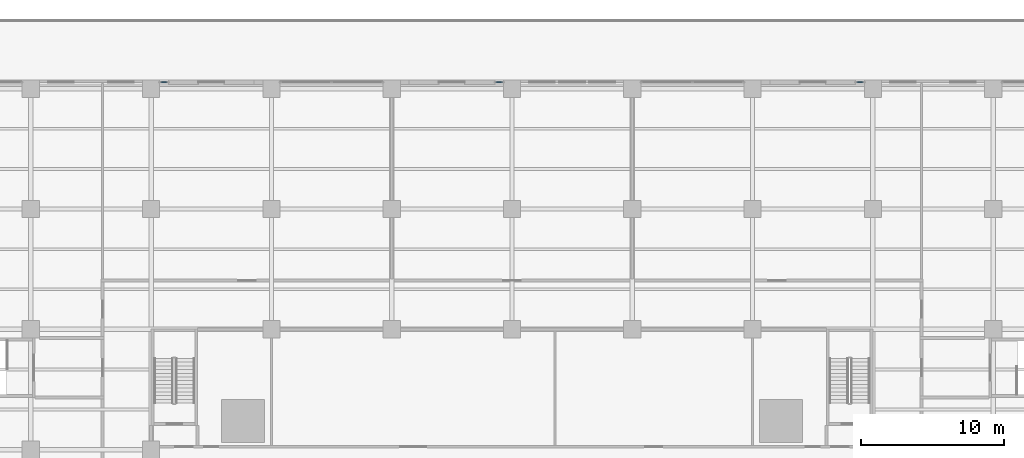
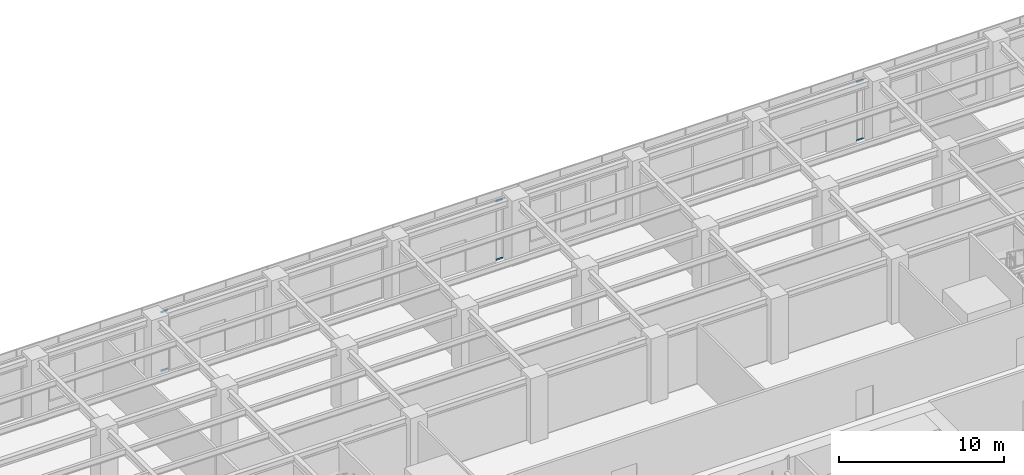
# One storey, part 21 of 53: 6 members, 3 elements without a shape of their own.
"""IFC4 building model written with IfcOpenShell, lengths in metres."""

import ifcopenshell
import ifcopenshell.guid

model = None  # the IFC model being written
_history = None  # IfcOwnerHistory: only IFC2X3 demands one
_inside = {}  # id of a spatial element -> (the spatial element, [elements in it])
_under = {}  # id of a project, library or spatial element -> (it, [spatial elements below it])
_declared = {}  # id of a project -> (the project, [libraries it declares])
_typed = {}  # id of a type object -> (the type object, [elements of that type])
_made_of = {}  # id of a material, layer set ... -> (it, [elements and type objects made of it])


def new_model(schema):
    """Start an empty IFC model of exactly this schema.

    Asked for "IFC4X3", IfcOpenShell would pick the latest addendum, in which some entities
    have other attributes; the version numbers below select the first issue.
    IFC2X3 requires an IfcOwnerHistory on every rooted entity: one is made here for all.
    """
    global model, _history
    if schema == "IFC4X3":
        model = ifcopenshell.file(schema_version=(4, 3, 0, 0))
    else:
        model = ifcopenshell.file(schema=schema)
    _inside.clear()
    _under.clear()
    _declared.clear()
    _typed.clear()
    _made_of.clear()
    _history = None
    if model.schema == "IFC2X3":
        org = make("IfcOrganization", Name="unknown")
        user = make(
            "IfcPersonAndOrganization",
            ThePerson=make("IfcPerson", FamilyName="unknown"),
            TheOrganization=org,
        )
        app = make(
            "IfcApplication",
            ApplicationDeveloper=org,
            Version="unknown",
            ApplicationFullName="unknown",
            ApplicationIdentifier="unknown",
        )
        _history = make(
            "IfcOwnerHistory",
            OwningUser=user,
            OwningApplication=app,
            ChangeAction="ADDED",
            CreationDate=0,
        )
    return model


def make(cls, **values):
    """One entity of the class cls with the attributes given. An attribute that is None is left unset."""
    return model.create_entity(
        cls, **{name: value for name, value in values.items() if value is not None}
    )


def rooted(cls, **values):
    """An entity with a GlobalId (a new one), such as an element, a storey or a relation."""
    return make(cls, GlobalId=ifcopenshell.guid.new(), OwnerHistory=_history, **values)


def si_unit(unit_type, name, prefix=None):
    """IfcSIUnit, for example si_unit("LENGTHUNIT", "METRE", prefix="MILLI")."""
    return make("IfcSIUnit", UnitType=unit_type, Prefix=prefix, Name=name)


def assignment(units):
    """IfcUnitAssignment: the units of a project."""
    return None if units is None else make("IfcUnitAssignment", Units=units)


def point(xyz):
    """IfcCartesianPoint."""
    return None if xyz is None else make("IfcCartesianPoint", Coordinates=xyz)


def direction(xyz):
    """IfcDirection."""
    return None if xyz is None else make("IfcDirection", DirectionRatios=xyz)


def frame(location, z_axis=None, x_axis=None):
    """IfcAxis2Placement3D, a coordinate frame: its origin and axes. An axis left out is left unset."""
    return make(
        "IfcAxis2Placement3D",
        Location=point(location),
        Axis=direction(z_axis),
        RefDirection=direction(x_axis),
    )


def frame_2d(location, x_axis=None):
    """IfcAxis2Placement2D, a coordinate frame in the plane: its origin and x axis."""
    return make(
        "IfcAxis2Placement2D", Location=point(location), RefDirection=direction(x_axis)
    )


def origin():
    """The frame at (0, 0, 0) with its axes left unset."""
    return frame((0.0, 0.0, 0.0))


def origin_2d():
    """The frame at (0, 0) in the plane with its x axis left unset."""
    return frame_2d((0.0, 0.0))


def place(relative_to, where):
    """IfcLocalPlacement: puts the frame where relative to a parent placement (None: the world)."""
    return make(
        "IfcLocalPlacement", PlacementRelTo=relative_to, RelativePlacement=where
    )


def context(
    kind, dimensions, precision=None, world=None, true_north=None, identifier=None
):
    """IfcGeometricRepresentationContext, for example the 3D "Model" context."""
    return make(
        "IfcGeometricRepresentationContext",
        ContextIdentifier=identifier,
        ContextType=kind,
        CoordinateSpaceDimension=dimensions,
        Precision=precision,
        WorldCoordinateSystem=world,
        TrueNorth=true_north,
    )


def subcontext(parent, identifier, kind, view, scale=None):
    """IfcGeometricRepresentationSubContext, for example "Body" below "Model"."""
    return make(
        "IfcGeometricRepresentationSubContext",
        ContextIdentifier=identifier,
        ContextType=kind,
        ParentContext=parent,
        TargetScale=scale,
        TargetView=view,
    )


def project(units=None, contexts=None):
    """IfcProject with its units and contexts."""
    return rooted(
        "IfcProject",
        Name="project",
        RepresentationContexts=contexts,
        UnitsInContext=assignment(units),
    )


def spatial(cls, under=None, at=None, **own):
    """A site, building, storey or space (cls), placed at a placement, below another one or the project."""
    s = rooted(cls, ObjectPlacement=at, **own)
    if under is not None:
        _under.setdefault(under.id(), (under, []))[1].append(s)
    return s


def profile(cls, at=None, kind="AREA", **sizes):
    """A parametric profile (cls). Its sizes go by their IFC names, for example OverallWidth=200.0."""
    return make(cls, ProfileType=kind, Position=at, **sizes)


def rectangle(**sizes):
    """IfcRectangleProfileDef."""
    return profile("IfcRectangleProfileDef", **sizes)


def extrude(swept, where, along, depth):
    """IfcExtrudedAreaSolid: the profile swept, set in the frame where, extruded along a direction by depth."""
    return make(
        "IfcExtrudedAreaSolid",
        SweptArea=swept,
        Position=where,
        ExtrudedDirection=direction(along),
        Depth=depth,
    )


def shape(context_of_items, identifier, shape_type, items):
    """IfcShapeRepresentation: the items that make up one representation, for example the "Body"."""
    return make(
        "IfcShapeRepresentation",
        ContextOfItems=context_of_items,
        RepresentationIdentifier=identifier,
        RepresentationType=shape_type,
        Items=items,
    )


def material(Name=None, Category=None):
    """IfcMaterial."""
    return make("IfcMaterial", Name=Name, Category=Category)


def material_profile(
    of_material, cross_section, Name=None, Category=None, Priority=None
):
    """IfcMaterialProfile: a cross section and its material."""
    return make(
        "IfcMaterialProfile",
        Name=Name,
        Material=of_material,
        Profile=cross_section,
        Priority=Priority,
        Category=Category,
    )


def profile_set(profiles, Name=None, composite=None):
    """IfcMaterialProfileSet."""
    return make(
        "IfcMaterialProfileSet",
        Name=Name,
        MaterialProfiles=profiles,
        CompositeProfile=composite,
    )


def made_of(thing, what):
    """Note that an element or type object is made of a material, layer set ...; save() writes the relation."""
    if what is not None:
        _made_of.setdefault(what.id(), (what, []))[1].append(thing)
    return thing


def type_object(cls, material=None, **own):
    """A type object (cls), such as IfcWallType, which elements share."""
    return made_of(rooted(cls, **own), material)


def element(
    cls,
    number,
    at=None,
    inside=None,
    cuts=None,
    type_object=None,
    material=None,
    context=None,
    identifier="Body",
    shape_type=None,
    held_by="IfcProductDefinitionShape",
    body=None,
    shapes=None,
    **own,
):
    """One element of the class cls, such as IfcWall. Its Tag is "e" and its number.

    at: its placement. inside: the storey or other place that contains it. cuts: it is an
    opening in that element (IfcRelVoidsElement). A single representation is given by context,
    identifier, shape_type and body (its items); several are given by shapes. held_by: the class
    of the entity that holds the representations. save() writes the other relations.
    """
    e = rooted(cls, Tag="e%d" % number, ObjectPlacement=at, **own)
    if body is not None:
        shapes = [shape(context, identifier, shape_type, body)]
    if shapes is not None:
        e.Representation = make(held_by, Representations=shapes)
    if inside is not None:
        _inside.setdefault(inside.id(), (inside, []))[1].append(e)
    if cuts is not None:
        rooted(
            "IfcRelVoidsElement", RelatingBuildingElement=cuts, RelatedOpeningElement=e
        )
    if type_object is not None:
        _typed.setdefault(type_object.id(), (type_object, []))[1].append(e)
    return made_of(e, material)


def aggregate(whole, parts):
    """IfcRelAggregates: a whole, such as a stair, and the parts it consists of."""
    return rooted("IfcRelAggregates", RelatingObject=whole, RelatedObjects=parts)


def save(model, path):
    """Write the relations noted so far, then the file.

    IfcRelAggregates (storeys below a building ...), IfcRelContainedInSpatialStructure (elements
    in a storey), IfcRelDefinesByType, IfcRelAssociatesMaterial and IfcRelDeclares: one each for
    every whole, place, type object, material and project.
    """
    for whole, parts in _under.values():
        aggregate(whole, parts)
    for where, things in _inside.values():
        rooted(
            "IfcRelContainedInSpatialStructure",
            RelatedElements=things,
            RelatingStructure=where,
        )
    for kind, things in _typed.values():
        rooted("IfcRelDefinesByType", RelatedObjects=things, RelatingType=kind)
    for what, things in _made_of.values():
        rooted("IfcRelAssociatesMaterial", RelatedObjects=things, RelatingMaterial=what)
    for by, libraries in _declared.values():
        rooted("IfcRelDeclares", RelatingContext=by, RelatedDefinitions=libraries)
    model.write(path)


model = new_model("IFC4")

# Units and contexts
model_context = context("Model", 3, precision=1e-05, world=origin(), true_north=direction((0.0, 1.0)))
body_context = subcontext(model_context, "Body", "Model", "MODEL_VIEW")
ifc_project = project(units=[si_unit("LENGTHUNIT", "METRE"), si_unit("AREAUNIT", "SQUARE_METRE"), si_unit("VOLUMEUNIT", "CUBIC_METRE"), si_unit("PLANEANGLEUNIT", "RADIAN"), si_unit("MASSUNIT", "GRAM", prefix="KILO")], contexts=[model_context])

# Site, building, storey
site_placement = place(None, origin())
site = spatial("IfcSite", under=ifc_project, at=site_placement, CompositionType="ELEMENT")
building_placement = place(site_placement, origin())
building = spatial("IfcBuilding", under=site, at=building_placement, Name="Khepri Terraces", CompositionType="ELEMENT")
storey_placement = place(building_placement, frame((0.0, 0.0, 7.199951171875)))
storey = spatial("IfcBuildingStorey", under=building, at=storey_placement, Name="L01", CompositionType="ELEMENT", Elevation=7.199951171875)

# Curtain wall, members
ifc_material_1 = material(Name="Anodised aluminium bronze curtain wall", Category="aluminium")
curtain_wall_type = type_object("IfcCurtainWallType", Name="CW-SYS2-PODIUM", PredefinedType="NOTDEFINED", material=ifc_material_1)
curtain_wall_1_placement = place(storey_placement, origin())
curtain_wall_1 = element("IfcCurtainWall", 1, at=curtain_wall_1_placement, inside=storey, type_object=curtain_wall_type, Name="Curtain wall CW2 L01 N", PredefinedType="NOTDEFINED")
ifc_material_2 = material(Name="Anodised aluminium bronze", Category="aluminium")
ifc_material_profile = material_profile(ifc_material_2, rectangle(XDim=0.06005859375, YDim=0.1201171875, at=origin_2d()), Name="Anodised aluminium bronze", Category="aluminium")
ifc_profile_set = profile_set([ifc_material_profile], Name="Anodised aluminium bronze")
member_type = type_object("IfcMemberType", Name="CW-TRANSOM-60x120", PredefinedType="USERDEFINED", material=ifc_profile_set)
member_1_placement = place(storey_placement, frame((24.5400390625, 42.449951171875, 0.030029296875), z_axis=(-1.0, 0.0, 0.0), x_axis=(0.0, -1.0, 0.0)))
member_1 = element("IfcMember", 2, at=member_1_placement, type_object=member_type, Name="CW2 transom 1.1", ObjectType="TRANSOM", PredefinedType="USERDEFINED", context=body_context, shape_type="SweptSolid", body=[
    extrude(rectangle(XDim=0.06005859375, YDim=0.1201171875, at=origin_2d()), origin(), (0.0, 0.0, 1.0), 0.47998046875),
])
member_2_placement = place(storey_placement, frame((24.5400390625, 42.449951171875, 4.35009765625), z_axis=(-1.0, 0.0, 0.0), x_axis=(0.0, -1.0, 0.0)))
member_2 = element("IfcMember", 3, at=member_2_placement, type_object=member_type, Name="CW2 transom 1.2", ObjectType="TRANSOM", PredefinedType="USERDEFINED", context=body_context, shape_type="SweptSolid", body=[
    extrude(rectangle(XDim=0.06005859375, YDim=0.1201171875, at=origin_2d()), origin(), (0.0, 0.0, 1.0), 0.47998046875),
])
aggregate(curtain_wall_1, [member_1, member_2])

curtain_wall_2_placement = place(storey_placement, origin())
curtain_wall_2 = element("IfcCurtainWall", 4, at=curtain_wall_2_placement, inside=storey, type_object=curtain_wall_type, Name="Curtain wall CW2 L01 N", PredefinedType="NOTDEFINED")
member_3_placement = place(storey_placement, frame((-0.659912109375, 42.449951171875, 0.030029296875), z_axis=(-1.0, 0.0, 0.0), x_axis=(0.0, -1.0, 0.0)))
member_3 = element("IfcMember", 5, at=member_3_placement, type_object=member_type, Name="CW2 transom 1.1", ObjectType="TRANSOM", PredefinedType="USERDEFINED", context=body_context, shape_type="SweptSolid", body=[
    extrude(rectangle(XDim=0.06005859375, YDim=0.1201171875, at=origin_2d()), origin(), (0.0, 0.0, 1.0), 0.47998046875),
])
member_4_placement = place(storey_placement, frame((-0.659912109375, 42.449951171875, 4.35009765625), z_axis=(-1.0, 0.0, 0.0), x_axis=(0.0, -1.0, 0.0)))
member_4 = element("IfcMember", 6, at=member_4_placement, type_object=member_type, Name="CW2 transom 1.2", ObjectType="TRANSOM", PredefinedType="USERDEFINED", context=body_context, shape_type="SweptSolid", body=[
    extrude(rectangle(XDim=0.06005859375, YDim=0.1201171875, at=origin_2d()), origin(), (0.0, 0.0, 1.0), 0.47998046875),
])
aggregate(curtain_wall_2, [member_3, member_4])

curtain_wall_3_placement = place(storey_placement, origin())
curtain_wall_3 = element("IfcCurtainWall", 7, at=curtain_wall_3_placement, inside=storey, type_object=curtain_wall_type, Name="Curtain wall CW2 L01 N", PredefinedType="NOTDEFINED")
member_5_placement = place(storey_placement, frame((-24.06005859375, 42.449951171875, 0.030029296875), z_axis=(-1.0, 0.0, 0.0), x_axis=(0.0, -1.0, 0.0)))
member_5 = element("IfcMember", 8, at=member_5_placement, type_object=member_type, Name="CW2 transom 1.1", ObjectType="TRANSOM", PredefinedType="USERDEFINED", context=body_context, shape_type="SweptSolid", body=[
    extrude(rectangle(XDim=0.06005859375, YDim=0.1201171875, at=origin_2d()), origin(), (0.0, 0.0, 1.0), 0.47998046875),
])
member_6_placement = place(storey_placement, frame((-24.06005859375, 42.449951171875, 4.35009765625), z_axis=(-1.0, 0.0, 0.0), x_axis=(0.0, -1.0, 0.0)))
member_6 = element("IfcMember", 9, at=member_6_placement, type_object=member_type, Name="CW2 transom 1.2", ObjectType="TRANSOM", PredefinedType="USERDEFINED", context=body_context, shape_type="SweptSolid", body=[
    extrude(rectangle(XDim=0.06005859375, YDim=0.1201171875, at=origin_2d()), origin(), (0.0, 0.0, 1.0), 0.47998046875),
])
aggregate(curtain_wall_3, [member_5, member_6])

save(model, "model.ifc")
